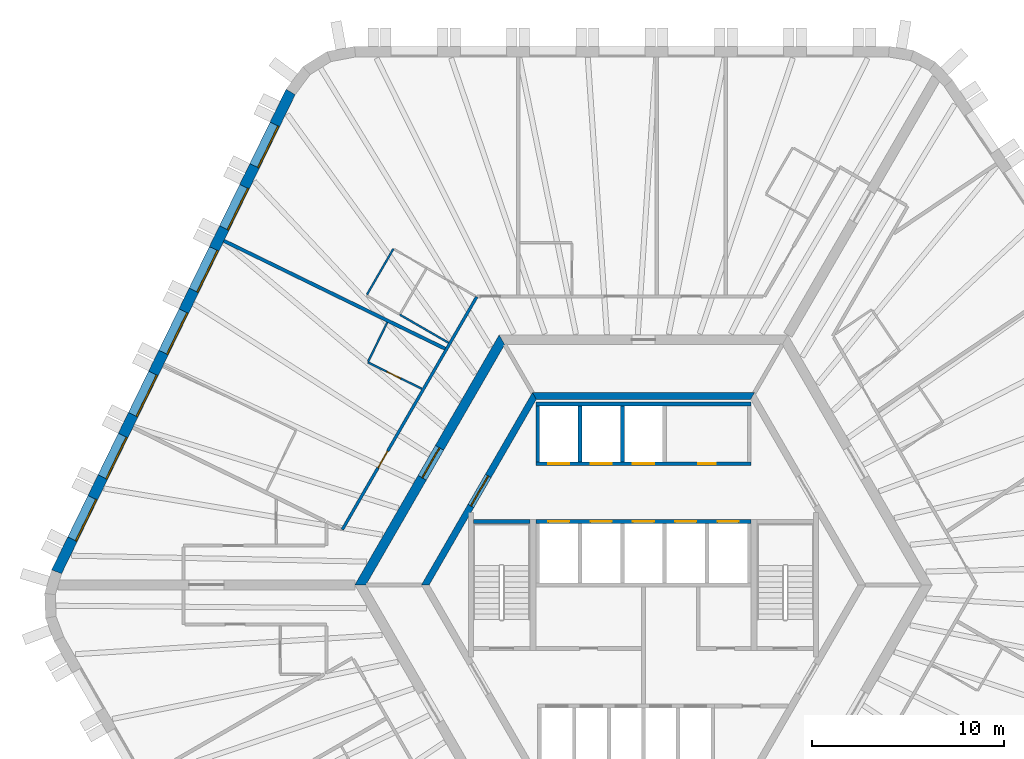
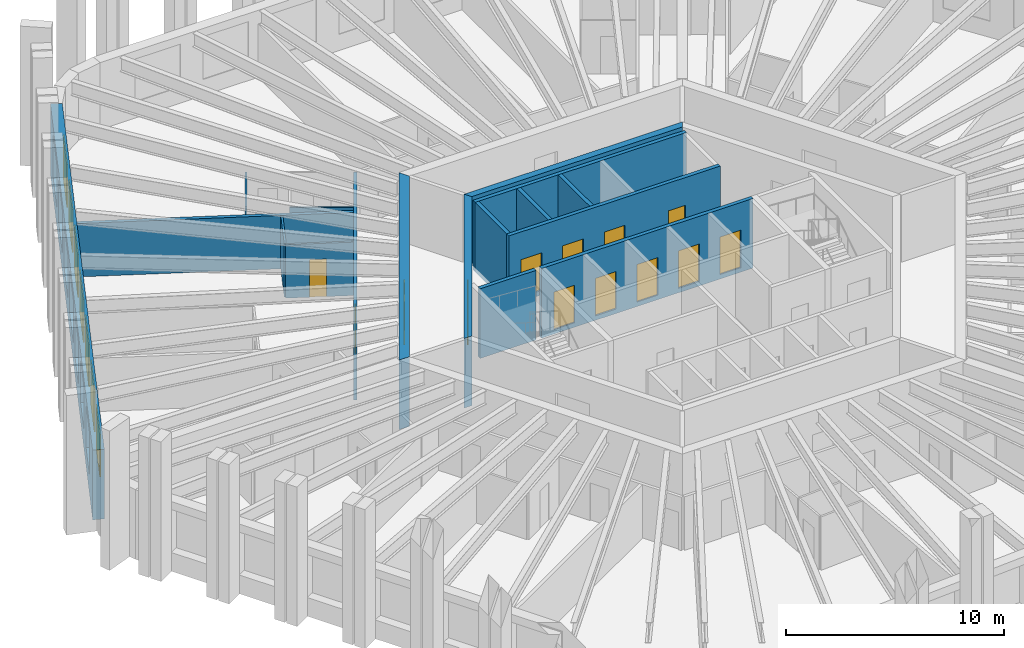
# One storey, part 7 of 11: 17 walls, 13 doors, 7 windows, 20 openings.
"""IFC4 building model written with IfcOpenShell, lengths in metres."""

from ifc_helpers import new_model, si_unit, direction, frame, frame_2d, origin, place, context, subcontext, project, spatial, polyline, rectangle, outline, extrude, material, layer, layer_set, type_object, element, fill, save


model = new_model("IFC4")

# Units and contexts
model_context = context("Model", 3, precision=1e-05, world=origin(), true_north=direction((0.0, 1.0)))
body_context = subcontext(model_context, "Body", "Model", "MODEL_VIEW")
ifc_project = project(units=[si_unit("LENGTHUNIT", "METRE"), si_unit("AREAUNIT", "SQUARE_METRE"), si_unit("VOLUMEUNIT", "CUBIC_METRE"), si_unit("PLANEANGLEUNIT", "RADIAN"), si_unit("MASSUNIT", "GRAM", prefix="KILO")], contexts=[model_context])

# Site, building, storey
site_placement = place(None, origin())
site = spatial("IfcSite", under=ifc_project, at=site_placement, CompositionType="ELEMENT")
building_placement = place(site_placement, origin())
building = spatial("IfcBuilding", under=site, at=building_placement, Name="Tarnside Tower", CompositionType="ELEMENT")
storey_placement = place(building_placement, frame((0.0, 0.0, 207.300048828125)))
storey = spatial("IfcBuildingStorey", under=building, at=storey_placement, Name="L49", CompositionType="ELEMENT", Elevation=207.300048828125)

# Wall
ifc_material_1 = material(Name="Gypsum board partition on steel studs", Category="steel")
ifc_layer_1 = layer(ifc_material_1, 0.10009765625)
ifc_layer_set_1 = layer_set([ifc_layer_1], Name="Bathroom wall 100")
wall_type_1 = type_object("IfcWallType", Name="Bathroom wall 100", PredefinedType="PARTITIONING", material=ifc_layer_set_1)
wall_1_placement = place(storey_placement, frame((-10.137939453125, 12.5908203125, 0.0), z_axis=(0.0, 0.0, 1.0), x_axis=(-0.866025730634, 0.499999433879, 0.0)))
element("IfcWall", 1, at=wall_1_placement, inside=storey, type_object=wall_type_1, Name="Bathroom wall 16060", PredefinedType="PARTITIONING", context=body_context, shape_type="SweptSolid", body=[
    extrude(rectangle(XDim=2.9248046875, YDim=0.10009765625, at=frame_2d((1.46240234375, 0.0))), origin(), (0.0, 0.0, 1.0), 2.98779296875),
])

# Wall, opening, door
wall_2_placement = place(storey_placement, frame((-11.518310546875, 10.199462890625, 0.0), z_axis=(0.0, 0.0, 1.0), x_axis=(-0.898776679215, 0.438406752799, 0.0)))
wall_2 = element("IfcWall", 2, at=wall_2_placement, inside=storey, type_object=wall_type_1, Name="Bathroom wall 16068", PredefinedType="PARTITIONING", context=body_context, shape_type="SweptSolid", body=[
    extrude(rectangle(XDim=3.134765625, YDim=0.10009765625, at=frame_2d((1.5673828125, 0.0))), origin(), (0.0, 0.0, 1.0), 2.98779296875),
])
opening_1_placement = place(wall_2_placement, frame((1.234619140625, 0.0, 0.0)))
opening_1 = element("IfcOpeningElement", 3, at=opening_1_placement, cuts=wall_2, Name="Opening D-B1", PredefinedType="OPENING", context=body_context, shape_type="SweptSolid", body=[
    extrude(rectangle(XDim=0.800048828125, YDim=2.10009765625, at=frame_2d((0.39990234375, 1.050048828125))), frame((0.0, 0.06005859375, 0.0), z_axis=(0.0, -1.0, 0.0), x_axis=(1.0, 0.0, 0.0)), (0.0, 0.0, 1.0), 0.1201171875),
])
ifc_material_2 = material(Name="Timber door leaf", Category="wood")
door_type_1 = type_object("IfcDoorType", Name="Bathroom door 800", OperationType="NOTDEFINED", PredefinedType="DOOR", material=ifc_material_2)
door_1_placement = place(opening_1_placement, origin())
door_1 = element("IfcDoor", 4, at=door_1_placement, inside=storey, type_object=door_type_1, Name="Bathroom door 16010", OperationType="SINGLE_SWING_LEFT", OverallHeight=2.10009765625, OverallWidth=0.800048828125, PredefinedType="DOOR", context=body_context, shape_type="SweptSolid", body=[
    extrude(rectangle(XDim=0.800048828125, YDim=2.10009765625, at=frame_2d((0.39990234375, 1.050048828125))), frame((0.0, 0.02490234375, 0.0), z_axis=(0.0, -1.0, 0.0), x_axis=(1.0, 0.0, 0.0)), (0.0, 0.0, 1.0), 0.050048828125),
])
fill(opening_1, door_1)

# Wall
wall_3_placement = place(storey_placement, frame((-14.313720703125, 11.61865234375, 0.0), z_axis=(0.0, 0.0, 1.0), x_axis=(0.438376807268, 0.898791285477, 0.0)))
element("IfcWall", 5, at=wall_3_placement, inside=storey, type_object=wall_type_1, Name="Bathroom wall 16069", PredefinedType="PARTITIONING", context=body_context, shape_type="SweptSolid", body=[
    extrude(rectangle(XDim=2.260009765625, YDim=0.10009765625, at=frame_2d((1.1298828125, 0.0))), origin(), (0.0, 0.0, 1.0), 2.98779296875),
])

# Wall, opening, door
ifc_material_3 = material(Name="Concrete C50/60", Category="concrete")
ifc_layer_2 = layer(ifc_material_3, 0.35009765625)
ifc_layer_set_2 = layer_set([ifc_layer_2], Name="Core block wall 350 C50/60")
wall_type_2 = type_object("IfcWallType", Name="Core block wall 350 C50/60", PredefinedType="SHEAR", material=ifc_layer_set_2)
wall_4_placement = place(storey_placement, frame((-5.672607421875, 9.824951171875, -0.150146484375), z_axis=(0.0, 0.0, 1.0), x_axis=(-0.499995046907, -0.866028263435, 0.0)))
wall_4 = element("IfcWall", 6, at=wall_4_placement, inside=storey, type_object=wall_type_2, Name="L49 core block wall face 2", PredefinedType="SHEAR", context=body_context, shape_type="SweptSolid", body=[
    extrude(outline(polyline([(-0.10107421875, -0.175048828125), (11.44580078125, -0.175048828125), (11.24365234375, 0.175048828125), (0.10107421875, 0.175048828125), (-0.10107421875, -0.175048828125)])), origin(), (0.0, 0.0, 1.0), 3.900146484375),
])
opening_2_placement = place(wall_4_placement, frame((4.80126953125, 0.0, 0.14990234375)))
opening_2 = element("IfcOpeningElement", 7, at=opening_2_placement, cuts=wall_4, Name="Opening CD-LOB", PredefinedType="OPENING", context=body_context, shape_type="SweptSolid", body=[
    extrude(rectangle(XDim=1.800048828125, YDim=2.39990234375, at=frame_2d((0.89990234375, 1.199951171875))), frame((0.0, 0.18505859375, 0.0), z_axis=(0.0, -1.0, 0.0), x_axis=(1.0, 0.0, 0.0)), (0.0, 0.0, 1.0), 0.3701171875),
])
ifc_material_4 = material(Name="Steel fire door", Category="steel")
door_type_2 = type_object("IfcDoorType", Name="Lobby double door FD30S 1800x2400", OperationType="NOTDEFINED", PredefinedType="DOOR", material=ifc_material_4)
door_2_placement = place(opening_2_placement, origin())
door_2 = element("IfcDoor", 8, at=door_2_placement, inside=storey, type_object=door_type_2, Name="L49 lobby block door P1", OperationType="DOUBLE_DOOR_SINGLE_SWING", OverallHeight=2.39990234375, OverallWidth=1.800048828125, PredefinedType="DOOR", context=body_context, shape_type="SweptSolid", body=[
    extrude(rectangle(XDim=1.800048828125, YDim=2.39990234375, at=frame_2d((0.89990234375, 1.199951171875))), frame((0.0, 0.02490234375, 0.0), z_axis=(0.0, -1.0, 0.0), x_axis=(1.0, 0.0, 0.0)), (0.0, 0.0, 1.0), 0.050048828125),
])
fill(opening_2, door_2)

# Wall
wall_5_placement = place(storey_placement, frame((5.672607421875, 9.824951171875, -0.150146484375), z_axis=(0.0, 0.0, 1.0), x_axis=(-1.0, 0.0, 0.0)))
element("IfcWall", 9, at=wall_5_placement, inside=storey, type_object=wall_type_2, Name="L49 core block wall face 1", PredefinedType="SHEAR", context=body_context, shape_type="SweptSolid", body=[
    extrude(outline(polyline([(-0.10107421875, -0.175048828125), (11.4462890625, -0.175048828125), (11.244140625, 0.175048828125), (0.10107421875, 0.175048828125), (-0.10107421875, -0.175048828125)])), origin(), (0.0, 0.0, 1.0), 3.900146484375),
])

# Wall, opening, door
ifc_material_5 = material(Name="Concrete C70/85", Category="concrete")
ifc_layer_3 = layer(ifc_material_5, 0.5)
ifc_layer_set_3 = layer_set([ifc_layer_3], Name="Core wall Z2 500 C70/85")
wall_type_3 = type_object("IfcWallType", Name="Core wall Z2 500 C70/85", PredefinedType="SHEAR", material=ifc_layer_set_3)
wall_6_placement = place(storey_placement, frame((-7.361083984375, 12.75, -0.150146484375), z_axis=(0.0, 0.0, 1.0), x_axis=(-0.50000571537, -0.866022103989, 0.0)))
wall_6 = element("IfcWall", 10, at=wall_6_placement, inside=storey, type_object=wall_type_3, Name="L49 core wall face 2", PredefinedType="SHEAR", context=body_context, shape_type="SweptSolid", body=[
    extrude(outline(polyline([(-0.144287109375, -0.25), (14.86669921875, -0.25), (14.578125, 0.25), (0.144287109375, 0.25), (-0.144287109375, -0.25)])), origin(), (0.0, 0.0, 1.0), 3.900146484375),
])
opening_3_placement = place(wall_6_placement, frame((6.489990234375, 0.0, 0.14990234375)))
opening_3 = element("IfcOpeningElement", 11, at=opening_3_placement, cuts=wall_6, Name="Opening CD-LOB", PredefinedType="OPENING", context=body_context, shape_type="SweptSolid", body=[
    extrude(rectangle(XDim=1.800048828125, YDim=2.39990234375, at=frame_2d((0.89990234375, 1.199951171875))), frame((0.0, 0.260009765625, 0.0), z_axis=(0.0, -1.0, 0.0), x_axis=(1.0, 0.0, 0.0)), (0.0, 0.0, 1.0), 0.52001953125),
])
door_3_placement = place(opening_3_placement, origin())
door_3 = element("IfcDoor", 12, at=door_3_placement, inside=storey, type_object=door_type_2, Name="L49 core door P1", OperationType="DOUBLE_DOOR_SINGLE_SWING", OverallHeight=2.39990234375, OverallWidth=1.800048828125, PredefinedType="DOOR", context=body_context, shape_type="SweptSolid", body=[
    extrude(rectangle(XDim=1.800048828125, YDim=2.39990234375, at=frame_2d((0.89990234375, 1.199951171875))), frame((0.0, 0.02490234375, 0.0), z_axis=(0.0, -1.0, 0.0), x_axis=(1.0, 0.0, 0.0)), (0.0, 0.0, 1.0), 0.050048828125),
])
fill(opening_3, door_3)

ifc_layer_4 = layer(ifc_material_1, 0.14990234375)
ifc_layer_set_4 = layer_set([ifc_layer_4], Name="Corridor wall 150 EI 60")
wall_type_4 = type_object("IfcWallType", Name="Corridor wall 150 EI 60", PredefinedType="PARTITIONING", material=ifc_layer_set_4)
wall_7_placement = place(storey_placement, frame((-8.6728515625, 14.97802734375, 0.0), z_axis=(0.0, 0.0, 1.0), x_axis=(-0.500009245501, -0.866020065826, 0.0)))
wall_7 = element("IfcWall", 13, at=wall_7_placement, inside=storey, type_object=wall_type_4, Name="Corridor wall 16009", PredefinedType="PARTITIONING", context=body_context, shape_type="SweptSolid", body=[
    extrude(rectangle(XDim=13.976318359375, YDim=0.14990234375, at=frame_2d((6.98828125, 0.0))), origin(), (0.0, 0.0, 1.0), 2.98779296875),
])
opening_4_placement = place(wall_7_placement, frame((9.26025390625, 0.0, 0.0)))
opening_4 = element("IfcOpeningElement", 14, at=opening_4_placement, cuts=wall_7, Name="Opening D-E1", PredefinedType="OPENING", context=body_context, shape_type="SweptSolid", body=[
    extrude(rectangle(XDim=1.0, YDim=2.10009765625, at=frame_2d((0.5, 1.050048828125))), frame((0.0, 0.0849609375, 0.0), z_axis=(0.0, -1.0, 0.0), x_axis=(1.0, 0.0, 0.0)), (0.0, 0.0, 1.0), 0.169921875),
])
door_type_3 = type_object("IfcDoorType", Name="Unit entrance door 1000 FD30S", OperationType="NOTDEFINED", PredefinedType="DOOR", material=ifc_material_2)
door_4_placement = place(opening_4_placement, origin())
door_4 = element("IfcDoor", 15, at=door_4_placement, inside=storey, type_object=door_type_3, Name="Unit door 16009", OperationType="SINGLE_SWING_RIGHT", OverallHeight=2.10009765625, OverallWidth=1.0, PredefinedType="DOOR", context=body_context, shape_type="SweptSolid", body=[
    extrude(rectangle(XDim=1.0, YDim=2.10009765625, at=frame_2d((0.5, 1.050048828125))), frame((0.0, 0.02490234375, 0.0), z_axis=(0.0, -1.0, 0.0), x_axis=(1.0, 0.0, 0.0)), (0.0, 0.0, 1.0), 0.050048828125),
])
fill(opening_4, door_4)

# Wall
ifc_layer_5 = layer(ifc_material_1, 0.179931640625)
ifc_layer_set_5 = layer_set([ifc_layer_5], Name="Demising wall 180 EI 60")
wall_type_5 = type_object("IfcWallType", Name="Demising wall 180 EI 60", PredefinedType="PARTITIONING", material=ifc_layer_set_5)
wall_8_placement = place(storey_placement, frame((-21.814697265625, 17.8916015625, 0.0), z_axis=(0.0, 0.0, 1.0), x_axis=(0.898799253997, -0.438360469265, 0.0)))
element("IfcWall", 16, at=wall_8_placement, inside=storey, type_object=wall_type_5, Name="Demising wall 16065", PredefinedType="PARTITIONING", context=body_context, shape_type="SweptSolid", body=[
    extrude(rectangle(XDim=12.7939453125, YDim=0.179931640625, at=frame_2d((6.39697265625, 0.0))), origin(), (0.0, 0.0, 1.0), 2.98779296875),
])

# Wall, openings, doors
ifc_material_6 = material(Name="Concrete C40/50", Category="concrete")
ifc_layer_6 = layer(ifc_material_6, 0.199951171875)
ifc_layer_set_6 = layer_set([ifc_layer_6], Name="Lift shaft wall 200 C40/50")
wall_type_6 = type_object("IfcWallType", Name="Lift shaft wall 200 C40/50", PredefinedType="SHEAR", material=ifc_layer_set_6)
wall_9_placement = place(storey_placement, frame((-5.60009765625, 6.300048828125, -0.25), z_axis=(0.0, 0.0, 1.0), x_axis=(1.0, 0.0, 0.0)))
wall_9 = element("IfcWall", 17, at=wall_9_placement, inside=storey, type_object=wall_type_6, Name="L49 lift shaft front wall R1", PredefinedType="SHEAR", context=body_context, shape_type="SweptSolid", body=[
    extrude(rectangle(XDim=11.2001953125, YDim=0.199951171875, at=frame_2d((5.60009765625, 0.0))), origin(), (0.0, 0.0, 1.0), 3.89990234375),
])
opening_5_placement = place(wall_9_placement, frame((8.449951171875, 0.0, 0.25)))
opening_5 = element("IfcOpeningElement", 18, at=opening_5_placement, cuts=wall_9, Name="Opening CD-room", PredefinedType="OPENING", context=body_context, shape_type="SweptSolid", body=[
    extrude(rectangle(XDim=0.89990234375, YDim=2.10009765625, at=frame_2d((0.449951171875, 1.050048828125))), frame((0.0, 0.10986328125, 0.0), z_axis=(0.0, -1.0, 0.0), x_axis=(1.0, 0.0, 0.0)), (0.0, 0.0, 1.0), 0.219970703125),
])
opening_6_placement = place(wall_9_placement, frame((0.64990234375, 0.0, 0.25)))
opening_6 = element("IfcOpeningElement", 19, at=opening_6_placement, cuts=wall_9, Name="Opening LD", PredefinedType="OPENING", context=body_context, shape_type="SweptSolid", body=[
    extrude(rectangle(XDim=1.10009765625, YDim=2.10009765625, at=frame_2d((0.550048828125, 1.050048828125))), frame((0.0, 0.10986328125, 0.0), z_axis=(0.0, -1.0, 0.0), x_axis=(1.0, 0.0, 0.0)), (0.0, 0.0, 1.0), 0.219970703125),
])
opening_7_placement = place(wall_9_placement, frame((2.85009765625, 0.0, 0.25)))
opening_7 = element("IfcOpeningElement", 20, at=opening_7_placement, cuts=wall_9, Name="Opening LD", PredefinedType="OPENING", context=body_context, shape_type="SweptSolid", body=[
    extrude(rectangle(XDim=1.10009765625, YDim=2.10009765625, at=frame_2d((0.550048828125, 1.050048828125))), frame((0.0, 0.10986328125, 0.0), z_axis=(0.0, -1.0, 0.0), x_axis=(1.0, 0.0, 0.0)), (0.0, 0.0, 1.0), 0.219970703125),
])
opening_8_placement = place(wall_9_placement, frame((5.050048828125, 0.0, 0.25)))
opening_8 = element("IfcOpeningElement", 21, at=opening_8_placement, cuts=wall_9, Name="Opening LD", PredefinedType="OPENING", context=body_context, shape_type="SweptSolid", body=[
    extrude(rectangle(XDim=1.10009765625, YDim=2.10009765625, at=frame_2d((0.550048828125, 1.050048828125))), frame((0.0, 0.10986328125, 0.0), z_axis=(0.0, -1.0, 0.0), x_axis=(1.0, 0.0, 0.0)), (0.0, 0.0, 1.0), 0.219970703125),
])
ifc_material_7 = material(Name="Stainless steel", Category="steel")
door_type_4 = type_object("IfcDoorType", Name="Lift landing door 1100x2100", OperationType="NOTDEFINED", PredefinedType="DOOR", material=ifc_material_7)
door_5_placement = place(opening_6_placement, origin())
door_5 = element("IfcDoor", 22, at=door_5_placement, inside=storey, type_object=door_type_4, Name="Mid-rise lift 1 landing door L49", OperationType="SLIDING_TO_LEFT", OverallHeight=2.10009765625, OverallWidth=1.10009765625, PredefinedType="DOOR", context=body_context, shape_type="SweptSolid", body=[
    extrude(rectangle(XDim=1.10009765625, YDim=2.10009765625, at=frame_2d((0.550048828125, 1.050048828125))), frame((0.0, 0.02490234375, 0.0), z_axis=(0.0, -1.0, 0.0), x_axis=(1.0, 0.0, 0.0)), (0.0, 0.0, 1.0), 0.050048828125),
])
fill(opening_6, door_5)
door_6_placement = place(opening_7_placement, origin())
door_6 = element("IfcDoor", 23, at=door_6_placement, inside=storey, type_object=door_type_4, Name="Mid-rise lift 2 landing door L49", OperationType="SLIDING_TO_LEFT", OverallHeight=2.10009765625, OverallWidth=1.10009765625, PredefinedType="DOOR", context=body_context, shape_type="SweptSolid", body=[
    extrude(rectangle(XDim=1.10009765625, YDim=2.10009765625, at=frame_2d((0.550048828125, 1.050048828125))), frame((0.0, 0.02490234375, 0.0), z_axis=(0.0, -1.0, 0.0), x_axis=(1.0, 0.0, 0.0)), (0.0, 0.0, 1.0), 0.050048828125),
])
fill(opening_7, door_6)
door_7_placement = place(opening_8_placement, origin())
door_7 = element("IfcDoor", 24, at=door_7_placement, inside=storey, type_object=door_type_4, Name="Mid-rise lift 3 landing door L49", OperationType="SLIDING_TO_LEFT", OverallHeight=2.10009765625, OverallWidth=1.10009765625, PredefinedType="DOOR", context=body_context, shape_type="SweptSolid", body=[
    extrude(rectangle(XDim=1.10009765625, YDim=2.10009765625, at=frame_2d((0.550048828125, 1.050048828125))), frame((0.0, 0.02490234375, 0.0), z_axis=(0.0, -1.0, 0.0), x_axis=(1.0, 0.0, 0.0)), (0.0, 0.0, 1.0), 0.050048828125),
])
fill(opening_8, door_7)
door_type_5 = type_object("IfcDoorType", Name="Room door FD60 900x2100", OperationType="NOTDEFINED", PredefinedType="DOOR", material=ifc_material_4)
door_8_placement = place(opening_5_placement, origin())
door_8 = element("IfcDoor", 25, at=door_8_placement, inside=storey, type_object=door_type_5, Name="L49 core room door FC1", OperationType="SINGLE_SWING_LEFT", OverallHeight=2.10009765625, OverallWidth=0.89990234375, PredefinedType="DOOR", context=body_context, shape_type="SweptSolid", body=[
    extrude(rectangle(XDim=0.89990234375, YDim=2.10009765625, at=frame_2d((0.449951171875, 1.050048828125))), frame((0.0, 0.02490234375, 0.0), z_axis=(0.0, -1.0, 0.0), x_axis=(1.0, 0.0, 0.0)), (0.0, 0.0, 1.0), 0.050048828125),
])
fill(opening_5, door_8)

# Walls
wall_10_placement = place(storey_placement, frame((-5.60009765625, 9.39990234375, -0.25), z_axis=(0.0, 0.0, 1.0), x_axis=(1.0, 0.0, 0.0)))
element("IfcWall", 26, at=wall_10_placement, inside=storey, type_object=wall_type_6, Name="L49 lift shaft back wall R1", PredefinedType="SHEAR", context=body_context, shape_type="SweptSolid", body=[
    extrude(rectangle(XDim=11.2001953125, YDim=0.199951171875, at=frame_2d((5.60009765625, 0.0))), origin(), (0.0, 0.0, 1.0), 3.89990234375),
])
for number, where, z_axis, x_axis, name in (
    (27, (-5.5, 6.39990234375, -0.25), (0.0, 0.0, 1.0), (0.0, 1.0, 0.0), "L49 lift shaft partition R11"),
    (28, (-3.300048828125, 6.39990234375, -0.25), (0.0, 0.0, 1.0), (0.0, 1.0, 0.0), "L49 lift shaft partition R12"),
    (29, (-1.10009765625, 6.39990234375, -0.25), (0.0, 0.0, 1.0), (0.0, 1.0, 0.0), "L49 lift shaft partition R13"),
):
    element("IfcWall", number, at=place(storey_placement, frame(where, z_axis=z_axis, x_axis=x_axis)), inside=storey, type_object=wall_type_6, Name=name, PredefinedType="SHEAR", context=body_context, shape_type="SweptSolid", body=[
        extrude(rectangle(XDim=2.900146484375, YDim=0.199951171875, at=frame_2d((1.4501953125, 0.0))), origin(), (0.0, 0.0, 1.0), 3.89990234375),
    ])

# Wall, openings, doors
wall_11_placement = place(storey_placement, frame((-5.60009765625, 3.300048828125, -0.25), z_axis=(0.0, 0.0, 1.0), x_axis=(1.0, 0.0, 0.0)))
wall_11 = element("IfcWall", 30, at=wall_11_placement, inside=storey, type_object=wall_type_6, Name="L49 lift shaft front wall R2", PredefinedType="SHEAR", context=body_context, shape_type="SweptSolid", body=[
    extrude(rectangle(XDim=11.2001953125, YDim=0.199951171875, at=frame_2d((5.60009765625, 0.0))), origin(), (0.0, 0.0, 1.0), 3.89990234375),
])
opening_9_placement = place(wall_11_placement, frame((0.64990234375, 0.0, 0.25)))
opening_9 = element("IfcOpeningElement", 31, at=opening_9_placement, cuts=wall_11, Name="Opening LD", PredefinedType="OPENING", context=body_context, shape_type="SweptSolid", body=[
    extrude(rectangle(XDim=1.10009765625, YDim=2.10009765625, at=frame_2d((0.550048828125, 1.050048828125))), frame((0.0, 0.10986328125, 0.0), z_axis=(0.0, -1.0, 0.0), x_axis=(1.0, 0.0, 0.0)), (0.0, 0.0, 1.0), 0.219970703125),
])
opening_10_placement = place(wall_11_placement, frame((2.85009765625, 0.0, 0.25)))
opening_10 = element("IfcOpeningElement", 32, at=opening_10_placement, cuts=wall_11, Name="Opening LD", PredefinedType="OPENING", context=body_context, shape_type="SweptSolid", body=[
    extrude(rectangle(XDim=1.10009765625, YDim=2.10009765625, at=frame_2d((0.550048828125, 1.050048828125))), frame((0.0, 0.10986328125, 0.0), z_axis=(0.0, -1.0, 0.0), x_axis=(1.0, 0.0, 0.0)), (0.0, 0.0, 1.0), 0.219970703125),
])
opening_11_placement = place(wall_11_placement, frame((5.050048828125, 0.0, 0.25)))
opening_11 = element("IfcOpeningElement", 33, at=opening_11_placement, cuts=wall_11, Name="Opening LD", PredefinedType="OPENING", context=body_context, shape_type="SweptSolid", body=[
    extrude(rectangle(XDim=1.10009765625, YDim=2.10009765625, at=frame_2d((0.550048828125, 1.050048828125))), frame((0.0, 0.10986328125, 0.0), z_axis=(0.0, -1.0, 0.0), x_axis=(1.0, 0.0, 0.0)), (0.0, 0.0, 1.0), 0.219970703125),
])
opening_12_placement = place(wall_11_placement, frame((7.25, 0.0, 0.25)))
opening_12 = element("IfcOpeningElement", 34, at=opening_12_placement, cuts=wall_11, Name="Opening LD", PredefinedType="OPENING", context=body_context, shape_type="SweptSolid", body=[
    extrude(rectangle(XDim=1.10009765625, YDim=2.10009765625, at=frame_2d((0.550048828125, 1.050048828125))), frame((0.0, 0.10986328125, 0.0), z_axis=(0.0, -1.0, 0.0), x_axis=(1.0, 0.0, 0.0)), (0.0, 0.0, 1.0), 0.219970703125),
])
opening_13_placement = place(wall_11_placement, frame((9.449951171875, 0.0, 0.25)))
opening_13 = element("IfcOpeningElement", 35, at=opening_13_placement, cuts=wall_11, Name="Opening LD", PredefinedType="OPENING", context=body_context, shape_type="SweptSolid", body=[
    extrude(rectangle(XDim=1.10009765625, YDim=2.10009765625, at=frame_2d((0.550048828125, 1.050048828125))), frame((0.0, 0.10986328125, 0.0), z_axis=(0.0, -1.0, 0.0), x_axis=(1.0, 0.0, 0.0)), (0.0, 0.0, 1.0), 0.219970703125),
])
door_9_placement = place(opening_9_placement, origin())
door_9 = element("IfcDoor", 36, at=door_9_placement, inside=storey, type_object=door_type_4, Name="Mid-rise lift 4 landing door L49", OperationType="SLIDING_TO_LEFT", OverallHeight=2.10009765625, OverallWidth=1.10009765625, PredefinedType="DOOR", context=body_context, shape_type="SweptSolid", body=[
    extrude(rectangle(XDim=1.10009765625, YDim=2.10009765625, at=frame_2d((0.550048828125, 1.050048828125))), frame((0.0, 0.02490234375, 0.0), z_axis=(0.0, -1.0, 0.0), x_axis=(1.0, 0.0, 0.0)), (0.0, 0.0, 1.0), 0.050048828125),
])
fill(opening_9, door_9)
door_10_placement = place(opening_10_placement, origin())
door_10 = element("IfcDoor", 37, at=door_10_placement, inside=storey, type_object=door_type_4, Name="Mid-rise lift 5 landing door L49", OperationType="SLIDING_TO_LEFT", OverallHeight=2.10009765625, OverallWidth=1.10009765625, PredefinedType="DOOR", context=body_context, shape_type="SweptSolid", body=[
    extrude(rectangle(XDim=1.10009765625, YDim=2.10009765625, at=frame_2d((0.550048828125, 1.050048828125))), frame((0.0, 0.02490234375, 0.0), z_axis=(0.0, -1.0, 0.0), x_axis=(1.0, 0.0, 0.0)), (0.0, 0.0, 1.0), 0.050048828125),
])
fill(opening_10, door_10)
door_11_placement = place(opening_11_placement, origin())
door_11 = element("IfcDoor", 38, at=door_11_placement, inside=storey, type_object=door_type_4, Name="Mid-rise lift 6 landing door L49", OperationType="SLIDING_TO_LEFT", OverallHeight=2.10009765625, OverallWidth=1.10009765625, PredefinedType="DOOR", context=body_context, shape_type="SweptSolid", body=[
    extrude(rectangle(XDim=1.10009765625, YDim=2.10009765625, at=frame_2d((0.550048828125, 1.050048828125))), frame((0.0, 0.02490234375, 0.0), z_axis=(0.0, -1.0, 0.0), x_axis=(1.0, 0.0, 0.0)), (0.0, 0.0, 1.0), 0.050048828125),
])
fill(opening_11, door_11)
door_12_placement = place(opening_12_placement, origin())
door_12 = element("IfcDoor", 39, at=door_12_placement, inside=storey, type_object=door_type_4, Name="High sky-lobby shuttle 1 landing door L49", OperationType="SLIDING_TO_LEFT", OverallHeight=2.10009765625, OverallWidth=1.10009765625, PredefinedType="DOOR", context=body_context, shape_type="SweptSolid", body=[
    extrude(rectangle(XDim=1.10009765625, YDim=2.10009765625, at=frame_2d((0.550048828125, 1.050048828125))), frame((0.0, 0.02490234375, 0.0), z_axis=(0.0, -1.0, 0.0), x_axis=(1.0, 0.0, 0.0)), (0.0, 0.0, 1.0), 0.050048828125),
])
fill(opening_12, door_12)
door_13_placement = place(opening_13_placement, origin())
door_13 = element("IfcDoor", 40, at=door_13_placement, inside=storey, type_object=door_type_4, Name="Express sky-lobby shuttle 2 landing door L49", OperationType="SLIDING_TO_LEFT", OverallHeight=2.10009765625, OverallWidth=1.10009765625, PredefinedType="DOOR", context=body_context, shape_type="SweptSolid", body=[
    extrude(rectangle(XDim=1.10009765625, YDim=2.10009765625, at=frame_2d((0.550048828125, 1.050048828125))), frame((0.0, 0.02490234375, 0.0), z_axis=(0.0, -1.0, 0.0), x_axis=(1.0, 0.0, 0.0)), (0.0, 0.0, 1.0), 0.050048828125),
])
fill(opening_13, door_13)

# Walls
wall_12_placement = place(storey_placement, frame((-8.85009765625, 3.300048828125, -0.25), z_axis=(0.0, 0.0, 1.0), x_axis=(1.0, 0.0, 0.0)))
element("IfcWall", 41, at=wall_12_placement, inside=storey, type_object=wall_type_6, Name="L49 stair 2 enclosure cap wall n", PredefinedType="SHEAR", context=body_context, shape_type="SweptSolid", body=[
    extrude(rectangle(XDim=2.9501953125, YDim=0.199951171875, at=frame_2d((1.47509765625, 0.0))), origin(), (0.0, 0.0, 1.0), 3.89990234375),
])
ifc_layer_7 = layer(ifc_material_1, 0.10009765625)
ifc_layer_set_7 = layer_set([ifc_layer_7], Name="Partition 100")
wall_type_7 = type_object("IfcWallType", Name="Partition 100", PredefinedType="PARTITIONING", material=ifc_layer_set_7)
wall_13_placement = place(storey_placement, frame((-14.3779296875, 15.096435546875, 0.0), z_axis=(0.0, 0.0, 1.0), x_axis=(0.499996545922, 0.866027397988, 0.0)))
element("IfcWall", 42, at=wall_13_placement, inside=storey, type_object=wall_type_7, Name="Partition wall 16063", PredefinedType="PARTITIONING", context=body_context, shape_type="SweptSolid", body=[
    extrude(rectangle(XDim=2.75, YDim=0.10009765625, at=frame_2d((1.375, 0.0))), origin(), (0.0, 0.0, 1.0), 2.98779296875),
])

# Wall, openings, windows
ifc_material_8 = material(Name="Facing brick", Category="masonry")
ifc_layer_8 = layer(ifc_material_8, 0.10205078125)
ifc_material_9 = material(Name="Concrete C60/75 precast", Category="concrete")
ifc_layer_9 = layer(ifc_material_9, 0.347900390625)
ifc_material_10 = material(Name="Mineral wool insulation")
ifc_layer_10 = layer(ifc_material_10, 0.10009765625)
ifc_layer_set_8 = layer_set([ifc_layer_8, ifc_layer_9, ifc_layer_10], Name="Tube wall 550 brick faced")
wall_type_8 = type_object("IfcWallType", Name="Tube wall 550 brick faced", PredefinedType="SOLIDWALL", material=ifc_layer_set_8)
wall_14_placement = place(storey_placement, frame((-18.344970703125, 25.6328125, -0.150146484375), z_axis=(0.0, 0.0, 1.0), x_axis=(-0.43837181828, -0.898793718791, 0.0)))
wall_14 = element("IfcWall", 43, at=wall_14_placement, inside=storey, type_object=wall_type_8, Name="Tube wall L49 F2 flush 04", PredefinedType="SOLIDWALL", context=body_context, shape_type="SweptSolid", body=[
    extrude(outline(polyline([(-0.025634765625, -0.27490234375), (27.7802734375, -0.27490234375), (27.7353515625, 0.27490234375), (0.025634765625, 0.27490234375), (-0.025634765625, -0.27490234375)])), origin(), (0.0, 0.0, 1.0), 3.900146484375),
])
opening_14_placement = place(wall_14_placement, frame((1.87890625, 0.0, 1.050048828125)))
opening_14 = element("IfcOpeningElement", 44, at=opening_14_placement, cuts=wall_14, Name="Opening WH", PredefinedType="OPENING", context=body_context, shape_type="SweptSolid", body=[
    extrude(rectangle(XDim=2.39990234375, YDim=2.39990234375, at=frame_2d((1.199951171875, 1.199951171875))), frame((0.0, 0.28515625, 0.0), z_axis=(0.0, -1.0, 0.0), x_axis=(1.0, 0.0, 0.0)), (0.0, 0.0, 1.0), 0.570068359375),
])
opening_15_placement = place(wall_14_placement, frame((5.47900390625, 0.0, 1.050048828125)))
opening_15 = element("IfcOpeningElement", 45, at=opening_15_placement, cuts=wall_14, Name="Opening WH", PredefinedType="OPENING", context=body_context, shape_type="SweptSolid", body=[
    extrude(rectangle(XDim=2.39990234375, YDim=2.39990234375, at=frame_2d((1.199951171875, 1.199951171875))), frame((0.0, 0.28515625, 0.0), z_axis=(0.0, -1.0, 0.0), x_axis=(1.0, 0.0, 0.0)), (0.0, 0.0, 1.0), 0.570068359375),
])
opening_16_placement = place(wall_14_placement, frame((9.078857421875, 0.0, 1.050048828125)))
opening_16 = element("IfcOpeningElement", 46, at=opening_16_placement, cuts=wall_14, Name="Opening WH", PredefinedType="OPENING", context=body_context, shape_type="SweptSolid", body=[
    extrude(rectangle(XDim=2.39990234375, YDim=2.39990234375, at=frame_2d((1.199951171875, 1.199951171875))), frame((0.0, 0.28515625, 0.0), z_axis=(0.0, -1.0, 0.0), x_axis=(1.0, 0.0, 0.0)), (0.0, 0.0, 1.0), 0.570068359375),
])
opening_17_placement = place(wall_14_placement, frame((12.678955078125, 0.0, 1.050048828125)))
opening_17 = element("IfcOpeningElement", 47, at=opening_17_placement, cuts=wall_14, Name="Opening WH", PredefinedType="OPENING", context=body_context, shape_type="SweptSolid", body=[
    extrude(rectangle(XDim=2.39990234375, YDim=2.39990234375, at=frame_2d((1.199951171875, 1.199951171875))), frame((0.0, 0.28515625, 0.0), z_axis=(0.0, -1.0, 0.0), x_axis=(1.0, 0.0, 0.0)), (0.0, 0.0, 1.0), 0.570068359375),
])
opening_18_placement = place(wall_14_placement, frame((16.27880859375, 0.0, 1.050048828125)))
opening_18 = element("IfcOpeningElement", 48, at=opening_18_placement, cuts=wall_14, Name="Opening WH", PredefinedType="OPENING", context=body_context, shape_type="SweptSolid", body=[
    extrude(rectangle(XDim=2.39990234375, YDim=2.39990234375, at=frame_2d((1.199951171875, 1.199951171875))), frame((0.0, 0.28515625, 0.0), z_axis=(0.0, -1.0, 0.0), x_axis=(1.0, 0.0, 0.0)), (0.0, 0.0, 1.0), 0.570068359375),
])
opening_19_placement = place(wall_14_placement, frame((19.87890625, 0.0, 1.050048828125)))
opening_19 = element("IfcOpeningElement", 49, at=opening_19_placement, cuts=wall_14, Name="Opening WH", PredefinedType="OPENING", context=body_context, shape_type="SweptSolid", body=[
    extrude(rectangle(XDim=2.39990234375, YDim=2.39990234375, at=frame_2d((1.199951171875, 1.199951171875))), frame((0.0, 0.28515625, 0.0), z_axis=(0.0, -1.0, 0.0), x_axis=(1.0, 0.0, 0.0)), (0.0, 0.0, 1.0), 0.570068359375),
])
opening_20_placement = place(wall_14_placement, frame((23.47900390625, 0.0, 1.050048828125)))
opening_20 = element("IfcOpeningElement", 50, at=opening_20_placement, cuts=wall_14, Name="Opening WH", PredefinedType="OPENING", context=body_context, shape_type="SweptSolid", body=[
    extrude(rectangle(XDim=2.39990234375, YDim=2.39990234375, at=frame_2d((1.199951171875, 1.199951171875))), frame((0.0, 0.28515625, 0.0), z_axis=(0.0, -1.0, 0.0), x_axis=(1.0, 0.0, 0.0)), (0.0, 0.0, 1.0), 0.570068359375),
])
ifc_material_11 = material(Name="Aluminium-framed double glazing", Category="aluminium")
window_type = type_object("IfcWindowType", Name="Hotel window 2400 x 2400", PartitioningType="DOUBLE_PANEL_VERTICAL", PredefinedType="WINDOW", material=ifc_material_11)
window_1_placement = place(opening_14_placement, frame((0.0, 0.205078125, 0.0)))
window_1 = element("IfcWindow", 51, at=window_1_placement, inside=storey, type_object=window_type, Name="E.WN.L49.F2.00", OverallHeight=2.39990234375, OverallWidth=2.39990234375, PartitioningType="DOUBLE_PANEL_VERTICAL", PredefinedType="WINDOW", context=body_context, shape_type="SweptSolid", body=[
    extrude(rectangle(XDim=2.39990234375, YDim=2.39990234375, at=frame_2d((1.199951171875, 1.199951171875))), frame((0.0, 0.030029296875, 0.0), z_axis=(0.0, -1.0, 0.0), x_axis=(1.0, 0.0, 0.0)), (0.0, 0.0, 1.0), 0.06005859375),
])
fill(opening_14, window_1)
window_2_placement = place(opening_15_placement, frame((0.0, 0.205078125, 0.0)))
window_2 = element("IfcWindow", 52, at=window_2_placement, inside=storey, type_object=window_type, Name="E.WN.L49.F2.01", OverallHeight=2.39990234375, OverallWidth=2.39990234375, PartitioningType="DOUBLE_PANEL_VERTICAL", PredefinedType="WINDOW", context=body_context, shape_type="SweptSolid", body=[
    extrude(rectangle(XDim=2.39990234375, YDim=2.39990234375, at=frame_2d((1.199951171875, 1.199951171875))), frame((0.0, 0.030029296875, 0.0), z_axis=(0.0, -1.0, 0.0), x_axis=(1.0, 0.0, 0.0)), (0.0, 0.0, 1.0), 0.06005859375),
])
fill(opening_15, window_2)
window_3_placement = place(opening_16_placement, frame((0.0, 0.205078125, 0.0)))
window_3 = element("IfcWindow", 53, at=window_3_placement, inside=storey, type_object=window_type, Name="E.WN.L49.F2.02", OverallHeight=2.39990234375, OverallWidth=2.39990234375, PartitioningType="DOUBLE_PANEL_VERTICAL", PredefinedType="WINDOW", context=body_context, shape_type="SweptSolid", body=[
    extrude(rectangle(XDim=2.39990234375, YDim=2.39990234375, at=frame_2d((1.199951171875, 1.199951171875))), frame((0.0, 0.030029296875, 0.0), z_axis=(0.0, -1.0, 0.0), x_axis=(1.0, 0.0, 0.0)), (0.0, 0.0, 1.0), 0.06005859375),
])
fill(opening_16, window_3)
window_4_placement = place(opening_17_placement, frame((0.0, 0.205078125, 0.0)))
window_4 = element("IfcWindow", 54, at=window_4_placement, inside=storey, type_object=window_type, Name="E.WN.L49.F2.03", OverallHeight=2.39990234375, OverallWidth=2.39990234375, PartitioningType="DOUBLE_PANEL_VERTICAL", PredefinedType="WINDOW", context=body_context, shape_type="SweptSolid", body=[
    extrude(rectangle(XDim=2.39990234375, YDim=2.39990234375, at=frame_2d((1.199951171875, 1.199951171875))), frame((0.0, 0.030029296875, 0.0), z_axis=(0.0, -1.0, 0.0), x_axis=(1.0, 0.0, 0.0)), (0.0, 0.0, 1.0), 0.06005859375),
])
fill(opening_17, window_4)
window_5_placement = place(opening_18_placement, frame((0.0, 0.205078125, 0.0)))
window_5 = element("IfcWindow", 55, at=window_5_placement, inside=storey, type_object=window_type, Name="E.WN.L49.F2.04", OverallHeight=2.39990234375, OverallWidth=2.39990234375, PartitioningType="DOUBLE_PANEL_VERTICAL", PredefinedType="WINDOW", context=body_context, shape_type="SweptSolid", body=[
    extrude(rectangle(XDim=2.39990234375, YDim=2.39990234375, at=frame_2d((1.199951171875, 1.199951171875))), frame((0.0, 0.030029296875, 0.0), z_axis=(0.0, -1.0, 0.0), x_axis=(1.0, 0.0, 0.0)), (0.0, 0.0, 1.0), 0.06005859375),
])
fill(opening_18, window_5)
window_6_placement = place(opening_19_placement, frame((0.0, 0.205078125, 0.0)))
window_6 = element("IfcWindow", 56, at=window_6_placement, inside=storey, type_object=window_type, Name="E.WN.L49.F2.05", OverallHeight=2.39990234375, OverallWidth=2.39990234375, PartitioningType="DOUBLE_PANEL_VERTICAL", PredefinedType="WINDOW", context=body_context, shape_type="SweptSolid", body=[
    extrude(rectangle(XDim=2.39990234375, YDim=2.39990234375, at=frame_2d((1.199951171875, 1.199951171875))), frame((0.0, 0.030029296875, 0.0), z_axis=(0.0, -1.0, 0.0), x_axis=(1.0, 0.0, 0.0)), (0.0, 0.0, 1.0), 0.06005859375),
])
fill(opening_19, window_6)
window_7_placement = place(opening_20_placement, frame((0.0, 0.205078125, 0.0)))
window_7 = element("IfcWindow", 57, at=window_7_placement, inside=storey, type_object=window_type, Name="E.WN.L49.F2.06", OverallHeight=2.39990234375, OverallWidth=2.39990234375, PartitioningType="DOUBLE_PANEL_VERTICAL", PredefinedType="WINDOW", context=body_context, shape_type="SweptSolid", body=[
    extrude(rectangle(XDim=2.39990234375, YDim=2.39990234375, at=frame_2d((1.199951171875, 1.199951171875))), frame((0.0, 0.030029296875, 0.0), z_axis=(0.0, -1.0, 0.0), x_axis=(1.0, 0.0, 0.0)), (0.0, 0.0, 1.0), 0.06005859375),
])
fill(opening_20, window_7)

save(model, "model.ifc")
